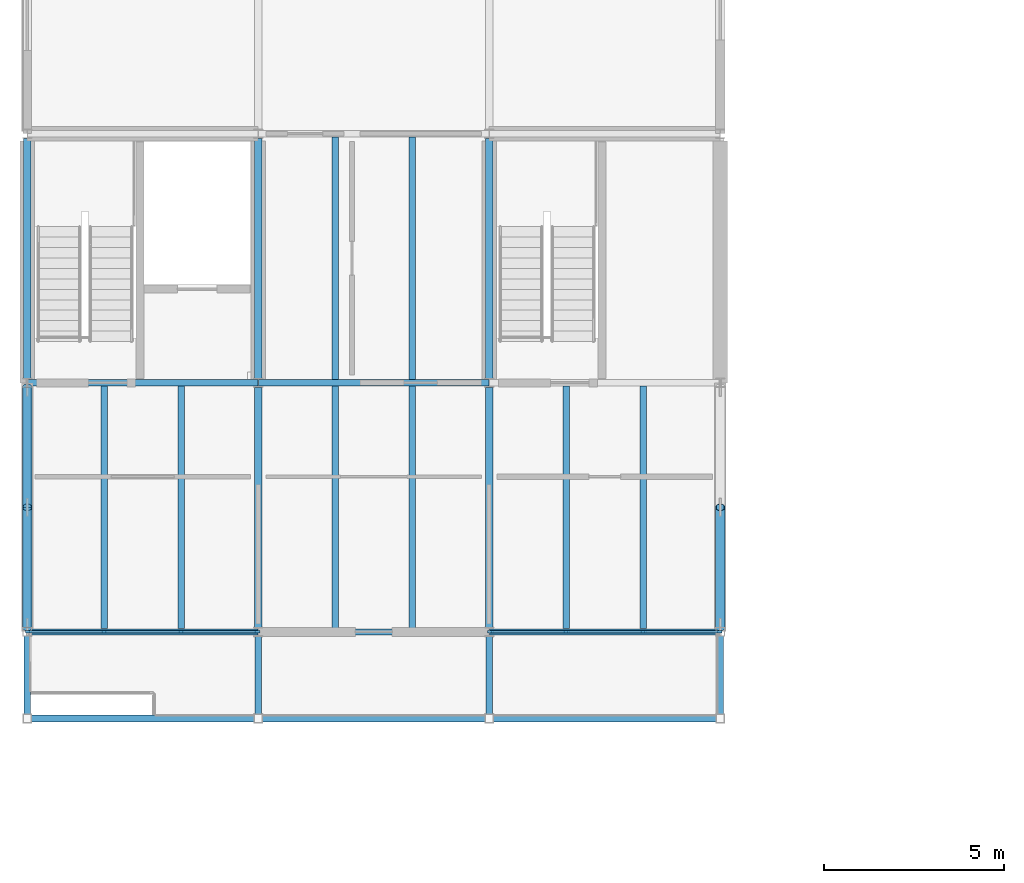
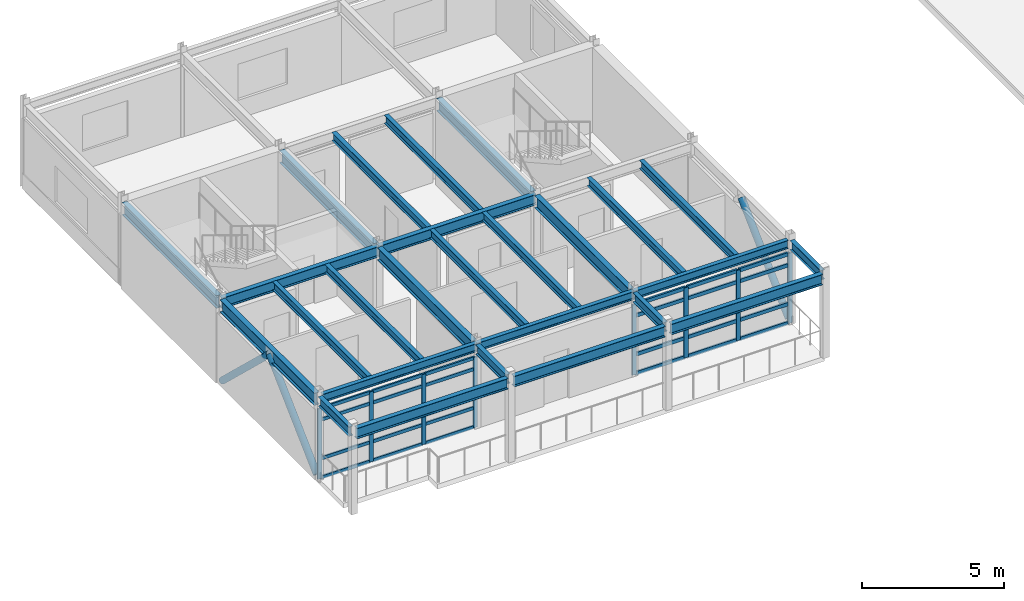
# One storey, part 9 of 26: 35 members, 26 beams, 2 elements without a shape of their own.
"""IFC4 building model written with IfcOpenShell, lengths in metres."""

from ifc_helpers import new_model, si_unit, direction, frame, origin, origin_2d, place, context, subcontext, project, spatial, rectangle, hollow_circle, i_section, extrude, material, layer, layer_set, material_profile, profile_set, type_object, element, aggregate, save


model = new_model("IFC4")

# Units and contexts
model_context = context("Model", 3, precision=1e-05, world=origin(), true_north=direction((0.0, 1.0)))
body_context = subcontext(model_context, "Body", "Model", "MODEL_VIEW")
ifc_project = project(units=[si_unit("LENGTHUNIT", "METRE"), si_unit("AREAUNIT", "SQUARE_METRE"), si_unit("VOLUMEUNIT", "CUBIC_METRE"), si_unit("PLANEANGLEUNIT", "RADIAN"), si_unit("MASSUNIT", "GRAM", prefix="KILO")], contexts=[model_context])

# Site, building, storey
site_placement = place(None, origin())
site = spatial("IfcSite", under=ifc_project, at=site_placement, CompositionType="ELEMENT")
building_placement = place(site_placement, origin())
building = spatial("IfcBuilding", under=site, at=building_placement, Name="Trelmorton Wharf Fire Station", CompositionType="ELEMENT")
storey_placement = place(building_placement, frame((0.0, 0.0, 17.39990234375)))
storey = spatial("IfcBuildingStorey", under=building, at=storey_placement, Name="L04", CompositionType="ELEMENT", Elevation=17.39990234375)

# Beams
ifc_material_1 = material(Name="Steel Grade 350", Category="steel")
ifc_material_profile_1 = material_profile(ifc_material_1, i_section(OverallWidth=0.177978515625, OverallDepth=0.406005859375, WebThickness=0.0078125, FlangeThickness=0.0126953125, FilletRadius=0.011474609375, at=origin_2d()), Name="410UB59.7")
ifc_profile_set_1 = profile_set([ifc_material_profile_1], Name="Steel Grade 350")
beam_type_1 = type_object("IfcBeamType", Name="BM_410UB60", PredefinedType="BEAM", material=ifc_profile_set_1)
beam_1_placement = place(storey_placement, frame((70.800048828125, 58.02099609375, 3.427001953125), z_axis=(0.0, 1.0, 0.0), x_axis=(-1.0, 0.0, 0.0)))
element("IfcBeam", 1, at=beam_1_placement, inside=storey, type_object=beam_type_1, Name="BM-L04-1080", PredefinedType="BEAM", context=body_context, shape_type="SweptSolid", body=[
    extrude(i_section(OverallWidth=0.177978515625, OverallDepth=0.406005859375, WebThickness=0.0078125, FlangeThickness=0.0126953125, FilletRadius=0.011474609375, at=origin_2d()), origin(), (0.0, 0.0, 1.0), 2.157958984375),
])
for number, where, z_axis, x_axis, name in (
    (2, (77.199951171875, 58.02099609375, 3.427001953125), (0.0, 1.0, 0.0), (-1.0, 0.0, 0.0), "BM-L04-1084"),
    (3, (83.60009765625, 58.02099609375, 3.427001953125), (0.0, 1.0, 0.0), (-1.0, 0.0, 0.0), "BM-L04-1088"),
):
    element("IfcBeam", number, at=place(storey_placement, frame(where, z_axis=z_axis, x_axis=x_axis)), inside=storey, type_object=beam_type_1, Name=name, PredefinedType="BEAM", context=body_context, shape_type="SweptSolid", body=[
        extrude(i_section(OverallWidth=0.177978515625, OverallDepth=0.406005859375, WebThickness=0.0078125, FlangeThickness=0.0126953125, FilletRadius=0.011474609375, at=origin_2d()), origin(), (0.0, 0.0, 1.0), 2.153076171875),
    ])
beam_2_placement = place(storey_placement, frame((90.0, 58.02099609375, 3.427001953125), z_axis=(0.0, 1.0, 0.0), x_axis=(-1.0, 0.0, 0.0)))
element("IfcBeam", 4, at=beam_2_placement, inside=storey, type_object=beam_type_1, Name="BM-L04-1092", PredefinedType="BEAM", context=body_context, shape_type="SweptSolid", body=[
    extrude(i_section(OverallWidth=0.177978515625, OverallDepth=0.406005859375, WebThickness=0.0078125, FlangeThickness=0.0126953125, FilletRadius=0.011474609375, at=origin_2d()), origin(), (0.0, 0.0, 1.0), 2.157958984375),
])
ifc_material_profile_2 = material_profile(ifc_material_1, i_section(OverallWidth=0.18994140625, OverallDepth=0.45703125, WebThickness=0.009033203125, FlangeThickness=0.014404296875, FilletRadius=0.011474609375, at=origin_2d()), Name="460UB74.6")
ifc_profile_set_2 = profile_set([ifc_material_profile_2], Name="Steel Grade 350")
beam_type_2 = type_object("IfcBeamType", Name="BM_460UB75", PredefinedType="BEAM", material=ifc_profile_set_2)
beam_3_placement = place(storey_placement, frame((70.803955078125, 67.199951171875, 3.401611328125), z_axis=(1.0, 0.0, 0.0), x_axis=(0.0, 1.0, 0.0)))
element("IfcBeam", 5, at=beam_3_placement, inside=storey, type_object=beam_type_2, Name="BM-L04-1068", PredefinedType="BEAM", context=body_context, shape_type="SweptSolid", body=[
    extrude(i_section(OverallWidth=0.18994140625, OverallDepth=0.45703125, WebThickness=0.009033203125, FlangeThickness=0.014404296875, FilletRadius=0.011474609375, at=origin_2d()), origin(), (0.0, 0.0, 1.0), 6.39208984375),
])
beam_4_placement = place(storey_placement, frame((77.2041015625, 67.199951171875, 3.401611328125), z_axis=(1.0, 0.0, 0.0), x_axis=(0.0, 1.0, 0.0)))
element("IfcBeam", 6, at=beam_4_placement, inside=storey, type_object=beam_type_2, Name="BM-L04-1069", PredefinedType="BEAM", context=body_context, shape_type="SweptSolid", body=[
    extrude(i_section(OverallWidth=0.18994140625, OverallDepth=0.45703125, WebThickness=0.009033203125, FlangeThickness=0.014404296875, FilletRadius=0.011474609375, at=origin_2d()), origin(), (0.0, 0.0, 1.0), 6.391845703125),
])
ifc_material_profile_3 = material_profile(ifc_material_1, i_section(OverallWidth=0.208984375, OverallDepth=0.532958984375, WebThickness=0.01025390625, FlangeThickness=0.015625, FilletRadius=0.013916015625, at=origin_2d()), Name="530UB92.4")
ifc_profile_set_3 = profile_set([ifc_material_profile_3], Name="Steel Grade 350")
beam_type_3 = type_object("IfcBeamType", Name="BM_530UB92", PredefinedType="BEAM", material=ifc_profile_set_3)
beam_5_placement = place(storey_placement, frame((70.800048828125, 60.4208984375, 3.363525390625), z_axis=(0.0, 1.0, 0.0), x_axis=(-1.0, 0.0, 0.0)))
element("IfcBeam", 7, at=beam_5_placement, inside=storey, type_object=beam_type_3, Name="BM-L04-1081", PredefinedType="BEAM", context=body_context, shape_type="SweptSolid", body=[
    extrude(i_section(OverallWidth=0.208984375, OverallDepth=0.532958984375, WebThickness=0.01025390625, FlangeThickness=0.015625, FilletRadius=0.013916015625, at=origin_2d()), origin(), (0.0, 0.0, 1.0), 6.653076171875),
])
beam_6_placement = place(storey_placement, frame((70.800048828125, 67.325927734375, 3.363525390625), z_axis=(0.0, 1.0, 0.0), x_axis=(-1.0, 0.0, 0.0)))
element("IfcBeam", 8, at=beam_6_placement, inside=storey, type_object=beam_type_3, Name="BM-L04-1082", PredefinedType="BEAM", context=body_context, shape_type="SweptSolid", body=[
    extrude(i_section(OverallWidth=0.208984375, OverallDepth=0.532958984375, WebThickness=0.01025390625, FlangeThickness=0.015625, FilletRadius=0.013916015625, at=origin_2d()), origin(), (0.0, 0.0, 1.0), 6.648193359375),
])
beam_7_placement = place(storey_placement, frame((77.199951171875, 60.426025390625, 3.363525390625), z_axis=(0.0, 1.0, 0.0), x_axis=(-1.0, 0.0, 0.0)))
element("IfcBeam", 9, at=beam_7_placement, inside=storey, type_object=beam_type_3, Name="BM-L04-1085", PredefinedType="BEAM", context=body_context, shape_type="SweptSolid", body=[
    extrude(i_section(OverallWidth=0.208984375, OverallDepth=0.532958984375, WebThickness=0.01025390625, FlangeThickness=0.015625, FilletRadius=0.013916015625, at=origin_2d()), origin(), (0.0, 0.0, 1.0), 6.64794921875),
])
beam_8_placement = place(storey_placement, frame((77.199951171875, 67.325927734375, 3.363525390625), z_axis=(0.0, 1.0, 0.0), x_axis=(-1.0, 0.0, 0.0)))
element("IfcBeam", 10, at=beam_8_placement, inside=storey, type_object=beam_type_3, Name="BM-L04-1086", PredefinedType="BEAM", context=body_context, shape_type="SweptSolid", body=[
    extrude(i_section(OverallWidth=0.208984375, OverallDepth=0.532958984375, WebThickness=0.01025390625, FlangeThickness=0.015625, FilletRadius=0.013916015625, at=origin_2d()), origin(), (0.0, 0.0, 1.0), 6.648193359375),
])
beam_9_placement = place(storey_placement, frame((83.60009765625, 60.426025390625, 3.363525390625), z_axis=(0.0, 1.0, 0.0), x_axis=(-1.0, 0.0, 0.0)))
element("IfcBeam", 11, at=beam_9_placement, inside=storey, type_object=beam_type_3, Name="BM-L04-1089", PredefinedType="BEAM", context=body_context, shape_type="SweptSolid", body=[
    extrude(i_section(OverallWidth=0.208984375, OverallDepth=0.532958984375, WebThickness=0.01025390625, FlangeThickness=0.015625, FilletRadius=0.013916015625, at=origin_2d()), origin(), (0.0, 0.0, 1.0), 6.64794921875),
])
beam_10_placement = place(storey_placement, frame((83.60009765625, 67.325927734375, 3.363525390625), z_axis=(0.0, 1.0, 0.0), x_axis=(-1.0, 0.0, 0.0)))
element("IfcBeam", 12, at=beam_10_placement, inside=storey, type_object=beam_type_3, Name="BM-L04-1090", PredefinedType="BEAM", context=body_context, shape_type="SweptSolid", body=[
    extrude(i_section(OverallWidth=0.208984375, OverallDepth=0.532958984375, WebThickness=0.01025390625, FlangeThickness=0.015625, FilletRadius=0.013916015625, at=origin_2d()), origin(), (0.0, 0.0, 1.0), 6.648193359375),
])
ifc_material_2 = material(Name="Signal-red architectural steel Grade 350", Category="steel")
ifc_material_profile_4 = material_profile(ifc_material_2, i_section(OverallWidth=0.19091796875, OverallDepth=0.4599609375, WebThickness=0.010009765625, FlangeThickness=0.01611328125, FilletRadius=0.011474609375, at=origin_2d()), Name="460UB82.1")
ifc_profile_set_4 = profile_set([ifc_material_profile_4], Name="Signal-red architectural steel Grade 350")
beam_type_4 = type_object("IfcBeamType", Name="BM_RED_460UB82", PredefinedType="BEAM", material=ifc_profile_set_4)
beam_11_placement = place(storey_placement, frame((70.9208984375, 57.89990234375, 3.400146484375), z_axis=(1.0, 0.0, 0.0), x_axis=(0.0, 1.0, 0.0)))
element("IfcBeam", 13, at=beam_11_placement, inside=storey, type_object=beam_type_4, Name="BM-L04-1062", PredefinedType="BEAM", context=body_context, shape_type="SweptSolid", body=[
    extrude(i_section(OverallWidth=0.19091796875, OverallDepth=0.4599609375, WebThickness=0.010009765625, FlangeThickness=0.01611328125, FilletRadius=0.011474609375, at=origin_2d()), origin(), (0.0, 0.0, 1.0), 6.158203125),
])
for number, where, z_axis, x_axis, name in (
    (14, (77.321044921875, 57.89990234375, 3.400146484375), (1.0, 0.0, 0.0), (0.0, 1.0, 0.0), "BM-L04-1063"),
    (15, (83.720947265625, 57.89990234375, 3.400146484375), (1.0, 0.0, 0.0), (0.0, 1.0, 0.0), "BM-L04-1064"),
):
    element("IfcBeam", number, at=place(storey_placement, frame(where, z_axis=z_axis, x_axis=x_axis)), inside=storey, type_object=beam_type_4, Name=name, PredefinedType="BEAM", context=body_context, shape_type="SweptSolid", body=[
        extrude(i_section(OverallWidth=0.19091796875, OverallDepth=0.4599609375, WebThickness=0.010009765625, FlangeThickness=0.01611328125, FilletRadius=0.011474609375, at=origin_2d()), origin(), (0.0, 0.0, 1.0), 6.157958984375),
    ])

# Members
ifc_material_3 = material(Name="Steel C350L0 (350 MPa)", Category="steel")
ifc_material_profile_5 = material_profile(ifc_material_3, hollow_circle(Radius=0.136474609375, WallThickness=0.00927734375, at=origin_2d()), Name="273.1x9.3CHS")
ifc_profile_set_5 = profile_set([ifc_material_profile_5], Name="Steel C350L0 (350 MPa)")
member_type_1 = type_object("IfcMemberType", Name="BR_273CHS", PredefinedType="BRACE", material=ifc_profile_set_5)
member_1_placement = place(storey_placement, frame((70.800048828125, 60.422119140625, 0.1201171875), z_axis=(0.0, 0.725170756074, 0.688569077534), x_axis=(-1.0, 0.0, 0.0)))
element("IfcMember", 16, at=member_1_placement, inside=storey, type_object=member_type_1, Name="CBF-V2-W-L04-A", PredefinedType="BRACE", context=body_context, shape_type="SweptSolid", body=[
    extrude(hollow_circle(Radius=0.136474609375, WallThickness=0.00927734375, at=origin_2d()), origin(), (0.0, 0.0, 1.0), 4.589111328125),
])
member_2_placement = place(storey_placement, frame((70.800048828125, 67.072998046875, 0.1201171875), z_axis=(0.0, -0.724665699135, 0.689100590986), x_axis=(1.0, 0.0, 0.0)))
element("IfcMember", 17, at=member_2_placement, inside=storey, type_object=member_type_1, Name="CBF-V2-W-L04-B", PredefinedType="BRACE", context=body_context, shape_type="SweptSolid", body=[
    extrude(hollow_circle(Radius=0.136474609375, WallThickness=0.00927734375, at=origin_2d()), origin(), (0.0, 0.0, 1.0), 4.58544921875),
])
member_3_placement = place(storey_placement, frame((90.0, 60.422119140625, 0.1201171875), z_axis=(0.0, 0.725170756074, 0.688569077534), x_axis=(-1.0, 0.0, 0.0)))
element("IfcMember", 18, at=member_3_placement, inside=storey, type_object=member_type_1, Name="CBF-V2-E-L04-A", PredefinedType="BRACE", context=body_context, shape_type="SweptSolid", body=[
    extrude(hollow_circle(Radius=0.136474609375, WallThickness=0.00927734375, at=origin_2d()), origin(), (0.0, 0.0, 1.0), 4.589111328125),
])

# Curtain wall, members
ifc_material_4 = material(Name="Anodised aluminium AW-6063", Category="aluminium")
ifc_layer = layer(ifc_material_4, 0.159912109375)
ifc_layer_set = layer_set([ifc_layer], Name="Anodised aluminium AW-6063")
curtain_wall_type = type_object("IfcCurtainWallType", Name="CW_CHIC_A", PredefinedType="USERDEFINED", material=ifc_layer_set)
curtain_wall_1_placement = place(storey_placement, origin())
curtain_wall_1 = element("IfcCurtainWall", 19, at=curtain_wall_1_placement, inside=storey, type_object=curtain_wall_type, Name="CW-V2-L04-105", ObjectType="CHICAGO BAY CURTAIN WALL", PredefinedType="USERDEFINED")
ifc_material_profile_6 = material_profile(ifc_material_4, rectangle(XDim=0.06494140625, YDim=0.159912109375, at=origin_2d()), Name="ALU-65x160")
ifc_profile_set_6 = profile_set([ifc_material_profile_6], Name="Anodised aluminium AW-6063")
member_type_2 = type_object("IfcMemberType", Name="CWM_65x160", PredefinedType="MULLION", material=ifc_profile_set_6)
member_4_placement = place(storey_placement, frame((77.1650390625, 60.300048828125, 0.0), z_axis=(0.0, 0.0, 1.0), x_axis=(0.0, -1.0, 0.0)))
member_4 = element("IfcMember", 20, at=member_4_placement, type_object=member_type_2, Name="CW1 mullion 1", PredefinedType="MULLION", context=body_context, shape_type="SweptSolid", body=[
    extrude(rectangle(XDim=0.06494140625, YDim=0.159912109375, at=origin_2d()), origin(), (0.0, 0.0, 1.0), 3.02001953125),
])
member_5_placement = place(storey_placement, frame((75.06494140625, 60.300048828125, 0.0), z_axis=(0.0, 0.0, 1.0), x_axis=(0.0, -1.0, 0.0)))
member_5 = element("IfcMember", 21, at=member_5_placement, type_object=member_type_2, Name="CW1 mullion 2", PredefinedType="MULLION", context=body_context, shape_type="SweptSolid", body=[
    extrude(rectangle(XDim=0.06494140625, YDim=0.159912109375, at=origin_2d()), origin(), (0.0, 0.0, 1.0), 3.02001953125),
])
member_6_placement = place(storey_placement, frame((72.93505859375, 60.300048828125, 0.0), z_axis=(0.0, 0.0, 1.0), x_axis=(0.0, -1.0, 0.0)))
member_6 = element("IfcMember", 22, at=member_6_placement, type_object=member_type_2, Name="CW1 mullion 3", PredefinedType="MULLION", context=body_context, shape_type="SweptSolid", body=[
    extrude(rectangle(XDim=0.06494140625, YDim=0.159912109375, at=origin_2d()), origin(), (0.0, 0.0, 1.0), 3.02001953125),
])
member_7_placement = place(storey_placement, frame((70.8349609375, 60.300048828125, 0.0), z_axis=(0.0, 0.0, 1.0), x_axis=(0.0, -1.0, 0.0)))
member_7 = element("IfcMember", 23, at=member_7_placement, type_object=member_type_2, Name="CW1 mullion 4", PredefinedType="MULLION", context=body_context, shape_type="SweptSolid", body=[
    extrude(rectangle(XDim=0.06494140625, YDim=0.159912109375, at=origin_2d()), origin(), (0.0, 0.0, 1.0), 3.02001953125),
])

curtain_wall_2_placement = place(storey_placement, origin())
curtain_wall_2 = element("IfcCurtainWall", 24, at=curtain_wall_2_placement, inside=storey, type_object=curtain_wall_type, Name="CW-V2-L04-106", ObjectType="CHICAGO BAY CURTAIN WALL", PredefinedType="USERDEFINED")
ifc_material_profile_7 = material_profile(ifc_material_4, rectangle(XDim=0.074951171875, YDim=0.175048828125, at=origin_2d()), Name="ALU-75x175")
ifc_profile_set_7 = profile_set([ifc_material_profile_7], Name="Anodised aluminium AW-6063")
member_type_3 = type_object("IfcMemberType", Name="CWM_75x175", PredefinedType="MULLION", material=ifc_profile_set_7)
member_8_placement = place(storey_placement, frame((89.965087890625, 60.300048828125, 0.0), z_axis=(0.0, 0.0, 1.0), x_axis=(0.0, -1.0, 0.0)))
member_8 = element("IfcMember", 25, at=member_8_placement, type_object=member_type_3, Name="CW1 mullion 1", PredefinedType="MULLION", context=body_context, shape_type="SweptSolid", body=[
    extrude(rectangle(XDim=0.074951171875, YDim=0.175048828125, at=origin_2d()), origin(), (0.0, 0.0, 1.0), 3.02001953125),
])
member_9_placement = place(storey_placement, frame((87.864990234375, 60.300048828125, 0.0), z_axis=(0.0, 0.0, 1.0), x_axis=(0.0, -1.0, 0.0)))
member_9 = element("IfcMember", 26, at=member_9_placement, type_object=member_type_3, Name="CW1 mullion 2", PredefinedType="MULLION", context=body_context, shape_type="SweptSolid", body=[
    extrude(rectangle(XDim=0.074951171875, YDim=0.175048828125, at=origin_2d()), origin(), (0.0, 0.0, 1.0), 3.02001953125),
])
member_10_placement = place(storey_placement, frame((85.735107421875, 60.300048828125, 0.0), z_axis=(0.0, 0.0, 1.0), x_axis=(0.0, -1.0, 0.0)))
member_10 = element("IfcMember", 27, at=member_10_placement, type_object=member_type_3, Name="CW1 mullion 3", PredefinedType="MULLION", context=body_context, shape_type="SweptSolid", body=[
    extrude(rectangle(XDim=0.074951171875, YDim=0.175048828125, at=origin_2d()), origin(), (0.0, 0.0, 1.0), 3.02001953125),
])
member_11_placement = place(storey_placement, frame((83.635009765625, 60.300048828125, 0.0), z_axis=(0.0, 0.0, 1.0), x_axis=(0.0, -1.0, 0.0)))
member_11 = element("IfcMember", 28, at=member_11_placement, type_object=member_type_3, Name="CW1 mullion 4", PredefinedType="MULLION", context=body_context, shape_type="SweptSolid", body=[
    extrude(rectangle(XDim=0.074951171875, YDim=0.175048828125, at=origin_2d()), origin(), (0.0, 0.0, 1.0), 3.02001953125),
])

# Member
ifc_material_profile_8 = material_profile(ifc_material_4, rectangle(XDim=0.06494140625, YDim=0.139892578125, at=origin_2d()), Name="ALU-65x140")
ifc_profile_set_8 = profile_set([ifc_material_profile_8], Name="Anodised aluminium AW-6063")
member_type_4 = type_object("IfcMemberType", Name="CWT_65x140", PredefinedType="USERDEFINED", material=ifc_profile_set_8)
member_12_placement = place(storey_placement, frame((77.135009765625, 60.300048828125, 0.030029296875), z_axis=(-1.0, 0.0, 0.0), x_axis=(0.0, -1.0, 0.0)))
member_12 = element("IfcMember", 29, at=member_12_placement, type_object=member_type_4, Name="CW1 transom 1.1", ObjectType="TRANSOM", PredefinedType="USERDEFINED", context=body_context, shape_type="SweptSolid", body=[
    extrude(rectangle(XDim=0.06494140625, YDim=0.139892578125, at=origin_2d()), origin(), (0.0, 0.0, 1.0), 2.0400390625),
])

member_13_placement = place(storey_placement, frame((77.135009765625, 60.300048828125, 0.85009765625), z_axis=(-1.0, 0.0, 0.0), x_axis=(0.0, -1.0, 0.0)))
member_13 = element("IfcMember", 30, at=member_13_placement, type_object=member_type_4, Name="CW1 transom 1.2", ObjectType="TRANSOM", PredefinedType="USERDEFINED", context=body_context, shape_type="SweptSolid", body=[
    extrude(rectangle(XDim=0.06494140625, YDim=0.139892578125, at=origin_2d()), origin(), (0.0, 0.0, 1.0), 2.0400390625),
])

member_14_placement = place(storey_placement, frame((77.135009765625, 60.300048828125, 2.52001953125), z_axis=(-1.0, 0.0, 0.0), x_axis=(0.0, -1.0, 0.0)))
member_14 = element("IfcMember", 31, at=member_14_placement, type_object=member_type_4, Name="CW1 transom 1.3", ObjectType="TRANSOM", PredefinedType="USERDEFINED", context=body_context, shape_type="SweptSolid", body=[
    extrude(rectangle(XDim=0.06494140625, YDim=0.139892578125, at=origin_2d()), origin(), (0.0, 0.0, 1.0), 2.0400390625),
])

member_15_placement = place(storey_placement, frame((77.135009765625, 60.300048828125, 2.989990234375), z_axis=(-1.0, 0.0, 0.0), x_axis=(0.0, -1.0, 0.0)))
member_15 = element("IfcMember", 32, at=member_15_placement, type_object=member_type_4, Name="CW1 transom 1.4", ObjectType="TRANSOM", PredefinedType="USERDEFINED", context=body_context, shape_type="SweptSolid", body=[
    extrude(rectangle(XDim=0.06494140625, YDim=0.139892578125, at=origin_2d()), origin(), (0.0, 0.0, 1.0), 2.0400390625),
])

member_16_placement = place(storey_placement, frame((75.034912109375, 60.300048828125, 0.030029296875), z_axis=(-1.0, 0.0, 0.0), x_axis=(0.0, -1.0, 0.0)))
member_16 = element("IfcMember", 33, at=member_16_placement, type_object=member_type_4, Name="CW1 transom 2.1", ObjectType="TRANSOM", PredefinedType="USERDEFINED", context=body_context, shape_type="SweptSolid", body=[
    extrude(rectangle(XDim=0.06494140625, YDim=0.139892578125, at=origin_2d()), origin(), (0.0, 0.0, 1.0), 2.06982421875),
])

member_17_placement = place(storey_placement, frame((75.034912109375, 60.300048828125, 0.85009765625), z_axis=(-1.0, 0.0, 0.0), x_axis=(0.0, -1.0, 0.0)))
member_17 = element("IfcMember", 34, at=member_17_placement, type_object=member_type_4, Name="CW1 transom 2.2", ObjectType="TRANSOM", PredefinedType="USERDEFINED", context=body_context, shape_type="SweptSolid", body=[
    extrude(rectangle(XDim=0.06494140625, YDim=0.139892578125, at=origin_2d()), origin(), (0.0, 0.0, 1.0), 2.06982421875),
])

member_18_placement = place(storey_placement, frame((75.034912109375, 60.300048828125, 2.52001953125), z_axis=(-1.0, 0.0, 0.0), x_axis=(0.0, -1.0, 0.0)))
member_18 = element("IfcMember", 35, at=member_18_placement, type_object=member_type_4, Name="CW1 transom 2.3", ObjectType="TRANSOM", PredefinedType="USERDEFINED", context=body_context, shape_type="SweptSolid", body=[
    extrude(rectangle(XDim=0.06494140625, YDim=0.139892578125, at=origin_2d()), origin(), (0.0, 0.0, 1.0), 2.06982421875),
])

member_19_placement = place(storey_placement, frame((75.034912109375, 60.300048828125, 2.989990234375), z_axis=(-1.0, 0.0, 0.0), x_axis=(0.0, -1.0, 0.0)))
member_19 = element("IfcMember", 36, at=member_19_placement, type_object=member_type_4, Name="CW1 transom 2.4", ObjectType="TRANSOM", PredefinedType="USERDEFINED", context=body_context, shape_type="SweptSolid", body=[
    extrude(rectangle(XDim=0.06494140625, YDim=0.139892578125, at=origin_2d()), origin(), (0.0, 0.0, 1.0), 2.06982421875),
])

member_20_placement = place(storey_placement, frame((72.905029296875, 60.300048828125, 0.030029296875), z_axis=(-1.0, 0.0, 0.0), x_axis=(0.0, -1.0, 0.0)))
member_20 = element("IfcMember", 37, at=member_20_placement, type_object=member_type_4, Name="CW1 transom 3.1", ObjectType="TRANSOM", PredefinedType="USERDEFINED", context=body_context, shape_type="SweptSolid", body=[
    extrude(rectangle(XDim=0.06494140625, YDim=0.139892578125, at=origin_2d()), origin(), (0.0, 0.0, 1.0), 2.0400390625),
])

member_21_placement = place(storey_placement, frame((72.905029296875, 60.300048828125, 0.85009765625), z_axis=(-1.0, 0.0, 0.0), x_axis=(0.0, -1.0, 0.0)))
member_21 = element("IfcMember", 38, at=member_21_placement, type_object=member_type_4, Name="CW1 transom 3.2", ObjectType="TRANSOM", PredefinedType="USERDEFINED", context=body_context, shape_type="SweptSolid", body=[
    extrude(rectangle(XDim=0.06494140625, YDim=0.139892578125, at=origin_2d()), origin(), (0.0, 0.0, 1.0), 2.0400390625),
])

member_22_placement = place(storey_placement, frame((72.905029296875, 60.300048828125, 2.52001953125), z_axis=(-1.0, 0.0, 0.0), x_axis=(0.0, -1.0, 0.0)))
member_22 = element("IfcMember", 39, at=member_22_placement, type_object=member_type_4, Name="CW1 transom 3.3", ObjectType="TRANSOM", PredefinedType="USERDEFINED", context=body_context, shape_type="SweptSolid", body=[
    extrude(rectangle(XDim=0.06494140625, YDim=0.139892578125, at=origin_2d()), origin(), (0.0, 0.0, 1.0), 2.0400390625),
])

member_23_placement = place(storey_placement, frame((72.905029296875, 60.300048828125, 2.989990234375), z_axis=(-1.0, 0.0, 0.0), x_axis=(0.0, -1.0, 0.0)))
member_23 = element("IfcMember", 40, at=member_23_placement, type_object=member_type_4, Name="CW1 transom 3.4", ObjectType="TRANSOM", PredefinedType="USERDEFINED", context=body_context, shape_type="SweptSolid", body=[
    extrude(rectangle(XDim=0.06494140625, YDim=0.139892578125, at=origin_2d()), origin(), (0.0, 0.0, 1.0), 2.0400390625),
])

aggregate(curtain_wall_1, [member_4, member_5, member_6, member_7, member_12, member_13, member_14, member_15, member_16, member_17, member_18, member_19, member_20, member_21, member_22, member_23])

ifc_material_profile_9 = material_profile(ifc_material_4, rectangle(XDim=0.074951171875, YDim=0.155029296875, at=origin_2d()), Name="ALU-75x155")
ifc_profile_set_9 = profile_set([ifc_material_profile_9], Name="Anodised aluminium AW-6063")
member_type_5 = type_object("IfcMemberType", Name="CWT_75x155", PredefinedType="USERDEFINED", material=ifc_profile_set_9)
member_24_placement = place(storey_placement, frame((89.93505859375, 60.300048828125, 0.030029296875), z_axis=(-1.0, 0.0, 0.0), x_axis=(0.0, -1.0, 0.0)))
member_24 = element("IfcMember", 41, at=member_24_placement, type_object=member_type_5, Name="CW1 transom 1.1", ObjectType="TRANSOM", PredefinedType="USERDEFINED", context=body_context, shape_type="SweptSolid", body=[
    extrude(rectangle(XDim=0.074951171875, YDim=0.155029296875, at=origin_2d()), origin(), (0.0, 0.0, 1.0), 2.0400390625),
])

member_25_placement = place(storey_placement, frame((89.93505859375, 60.300048828125, 0.85009765625), z_axis=(-1.0, 0.0, 0.0), x_axis=(0.0, -1.0, 0.0)))
member_25 = element("IfcMember", 42, at=member_25_placement, type_object=member_type_5, Name="CW1 transom 1.2", ObjectType="TRANSOM", PredefinedType="USERDEFINED", context=body_context, shape_type="SweptSolid", body=[
    extrude(rectangle(XDim=0.074951171875, YDim=0.155029296875, at=origin_2d()), origin(), (0.0, 0.0, 1.0), 2.0400390625),
])

member_26_placement = place(storey_placement, frame((89.93505859375, 60.300048828125, 2.52001953125), z_axis=(-1.0, 0.0, 0.0), x_axis=(0.0, -1.0, 0.0)))
member_26 = element("IfcMember", 43, at=member_26_placement, type_object=member_type_5, Name="CW1 transom 1.3", ObjectType="TRANSOM", PredefinedType="USERDEFINED", context=body_context, shape_type="SweptSolid", body=[
    extrude(rectangle(XDim=0.074951171875, YDim=0.155029296875, at=origin_2d()), origin(), (0.0, 0.0, 1.0), 2.0400390625),
])

member_27_placement = place(storey_placement, frame((89.93505859375, 60.300048828125, 2.989990234375), z_axis=(-1.0, 0.0, 0.0), x_axis=(0.0, -1.0, 0.0)))
member_27 = element("IfcMember", 44, at=member_27_placement, type_object=member_type_5, Name="CW1 transom 1.4", ObjectType="TRANSOM", PredefinedType="USERDEFINED", context=body_context, shape_type="SweptSolid", body=[
    extrude(rectangle(XDim=0.074951171875, YDim=0.155029296875, at=origin_2d()), origin(), (0.0, 0.0, 1.0), 2.0400390625),
])

member_28_placement = place(storey_placement, frame((87.8349609375, 60.300048828125, 0.030029296875), z_axis=(-1.0, 0.0, 0.0), x_axis=(0.0, -1.0, 0.0)))
member_28 = element("IfcMember", 45, at=member_28_placement, type_object=member_type_5, Name="CW1 transom 2.1", ObjectType="TRANSOM", PredefinedType="USERDEFINED", context=body_context, shape_type="SweptSolid", body=[
    extrude(rectangle(XDim=0.074951171875, YDim=0.155029296875, at=origin_2d()), origin(), (0.0, 0.0, 1.0), 2.070068359375),
])

member_29_placement = place(storey_placement, frame((87.8349609375, 60.300048828125, 0.85009765625), z_axis=(-1.0, 0.0, 0.0), x_axis=(0.0, -1.0, 0.0)))
member_29 = element("IfcMember", 46, at=member_29_placement, type_object=member_type_5, Name="CW1 transom 2.2", ObjectType="TRANSOM", PredefinedType="USERDEFINED", context=body_context, shape_type="SweptSolid", body=[
    extrude(rectangle(XDim=0.074951171875, YDim=0.155029296875, at=origin_2d()), origin(), (0.0, 0.0, 1.0), 2.070068359375),
])

member_30_placement = place(storey_placement, frame((87.8349609375, 60.300048828125, 2.52001953125), z_axis=(-1.0, 0.0, 0.0), x_axis=(0.0, -1.0, 0.0)))
member_30 = element("IfcMember", 47, at=member_30_placement, type_object=member_type_5, Name="CW1 transom 2.3", ObjectType="TRANSOM", PredefinedType="USERDEFINED", context=body_context, shape_type="SweptSolid", body=[
    extrude(rectangle(XDim=0.074951171875, YDim=0.155029296875, at=origin_2d()), origin(), (0.0, 0.0, 1.0), 2.070068359375),
])

member_31_placement = place(storey_placement, frame((87.8349609375, 60.300048828125, 2.989990234375), z_axis=(-1.0, 0.0, 0.0), x_axis=(0.0, -1.0, 0.0)))
member_31 = element("IfcMember", 48, at=member_31_placement, type_object=member_type_5, Name="CW1 transom 2.4", ObjectType="TRANSOM", PredefinedType="USERDEFINED", context=body_context, shape_type="SweptSolid", body=[
    extrude(rectangle(XDim=0.074951171875, YDim=0.155029296875, at=origin_2d()), origin(), (0.0, 0.0, 1.0), 2.070068359375),
])

member_32_placement = place(storey_placement, frame((85.705078125, 60.300048828125, 0.030029296875), z_axis=(-1.0, 0.0, 0.0), x_axis=(0.0, -1.0, 0.0)))
member_32 = element("IfcMember", 49, at=member_32_placement, type_object=member_type_5, Name="CW1 transom 3.1", ObjectType="TRANSOM", PredefinedType="USERDEFINED", context=body_context, shape_type="SweptSolid", body=[
    extrude(rectangle(XDim=0.074951171875, YDim=0.155029296875, at=origin_2d()), origin(), (0.0, 0.0, 1.0), 2.0400390625),
])

member_33_placement = place(storey_placement, frame((85.705078125, 60.300048828125, 0.85009765625), z_axis=(-1.0, 0.0, 0.0), x_axis=(0.0, -1.0, 0.0)))
member_33 = element("IfcMember", 50, at=member_33_placement, type_object=member_type_5, Name="CW1 transom 3.2", ObjectType="TRANSOM", PredefinedType="USERDEFINED", context=body_context, shape_type="SweptSolid", body=[
    extrude(rectangle(XDim=0.074951171875, YDim=0.155029296875, at=origin_2d()), origin(), (0.0, 0.0, 1.0), 2.0400390625),
])

member_34_placement = place(storey_placement, frame((85.705078125, 60.300048828125, 2.52001953125), z_axis=(-1.0, 0.0, 0.0), x_axis=(0.0, -1.0, 0.0)))
member_34 = element("IfcMember", 51, at=member_34_placement, type_object=member_type_5, Name="CW1 transom 3.3", ObjectType="TRANSOM", PredefinedType="USERDEFINED", context=body_context, shape_type="SweptSolid", body=[
    extrude(rectangle(XDim=0.074951171875, YDim=0.155029296875, at=origin_2d()), origin(), (0.0, 0.0, 1.0), 2.0400390625),
])

member_35_placement = place(storey_placement, frame((85.705078125, 60.300048828125, 2.989990234375), z_axis=(-1.0, 0.0, 0.0), x_axis=(0.0, -1.0, 0.0)))
member_35 = element("IfcMember", 52, at=member_35_placement, type_object=member_type_5, Name="CW1 transom 3.4", ObjectType="TRANSOM", PredefinedType="USERDEFINED", context=body_context, shape_type="SweptSolid", body=[
    extrude(rectangle(XDim=0.074951171875, YDim=0.155029296875, at=origin_2d()), origin(), (0.0, 0.0, 1.0), 2.0400390625),
])

aggregate(curtain_wall_2, [member_8, member_9, member_10, member_11, member_24, member_25, member_26, member_27, member_28, member_29, member_30, member_31, member_32, member_33, member_34, member_35])

# Beams
ifc_material_profile_10 = material_profile(ifc_material_1, i_section(OverallWidth=0.172119140625, OverallDepth=0.35888671875, WebThickness=0.008056640625, FlangeThickness=0.012939453125, FilletRadius=0.011474609375, at=origin_2d()), Name="360UB56.7")
ifc_profile_set_10 = profile_set([ifc_material_profile_10], Name="Steel Grade 350")
beam_type_5 = type_object("IfcBeamType", Name="JS_360UB57", PredefinedType="JOIST", material=ifc_profile_set_10)
for number, where, z_axis, x_axis, name in (
    (53, (72.933349609375, 60.389892578125, 3.45068359375), (0.0, 1.0, 0.0), (-1.0, 0.0, 0.0), "JS-L04-0381"),
    (54, (75.066650390625, 60.389892578125, 3.45068359375), (0.0, 1.0, 0.0), (-1.0, 0.0, 0.0), "JS-L04-0382"),
    (55, (79.333251953125, 60.389892578125, 3.45068359375), (0.0, 1.0, 0.0), (-1.0, 0.0, 0.0), "JS-L04-0383"),
    (56, (81.466796875, 60.389892578125, 3.45068359375), (0.0, 1.0, 0.0), (-1.0, 0.0, 0.0), "JS-L04-0384"),
):
    element("IfcBeam", number, at=place(storey_placement, frame(where, z_axis=z_axis, x_axis=x_axis)), inside=storey, type_object=beam_type_5, Name=name, PredefinedType="JOIST", context=body_context, shape_type="SweptSolid", body=[
        extrude(i_section(OverallWidth=0.172119140625, OverallDepth=0.35888671875, WebThickness=0.008056640625, FlangeThickness=0.012939453125, FilletRadius=0.011474609375, at=origin_2d()), origin(), (0.0, 0.0, 1.0), 6.72021484375),
    ])
for number, where, z_axis, x_axis, name in (
    (57, (79.333251953125, 67.2900390625, 3.45068359375), (0.0, 1.0, 0.0), (-1.0, 0.0, 0.0), "JS-L04-0385"),
    (58, (81.466796875, 67.2900390625, 3.45068359375), (0.0, 1.0, 0.0), (-1.0, 0.0, 0.0), "JS-L04-0386"),
):
    element("IfcBeam", number, at=place(storey_placement, frame(where, z_axis=z_axis, x_axis=x_axis)), inside=storey, type_object=beam_type_5, Name=name, PredefinedType="JOIST", context=body_context, shape_type="SweptSolid", body=[
        extrude(i_section(OverallWidth=0.172119140625, OverallDepth=0.35888671875, WebThickness=0.008056640625, FlangeThickness=0.012939453125, FilletRadius=0.011474609375, at=origin_2d()), origin(), (0.0, 0.0, 1.0), 6.719970703125),
    ])
for number, where, z_axis, x_axis, name in (
    (59, (85.7333984375, 60.389892578125, 3.45068359375), (0.0, 1.0, 0.0), (-1.0, 0.0, 0.0), "JS-L04-0387"),
    (60, (87.86669921875, 60.389892578125, 3.45068359375), (0.0, 1.0, 0.0), (-1.0, 0.0, 0.0), "JS-L04-0388"),
):
    element("IfcBeam", number, at=place(storey_placement, frame(where, z_axis=z_axis, x_axis=x_axis)), inside=storey, type_object=beam_type_5, Name=name, PredefinedType="JOIST", context=body_context, shape_type="SweptSolid", body=[
        extrude(i_section(OverallWidth=0.172119140625, OverallDepth=0.35888671875, WebThickness=0.008056640625, FlangeThickness=0.012939453125, FilletRadius=0.011474609375, at=origin_2d()), origin(), (0.0, 0.0, 1.0), 6.72021484375),
    ])
ifc_material_profile_11 = material_profile(ifc_material_1, i_section(OverallWidth=0.1708984375, OverallDepth=0.35595703125, WebThickness=0.00732421875, FlangeThickness=0.011474609375, FilletRadius=0.011474609375, at=origin_2d()), Name="360UB50.7")
ifc_profile_set_11 = profile_set([ifc_material_profile_11], Name="Steel Grade 350")
beam_type_6 = type_object("IfcBeamType", Name="SP_360UB51", PredefinedType="SPANDREL", material=ifc_profile_set_11)
beam_12_placement = place(storey_placement, frame((70.9208984375, 60.300048828125, 3.4521484375), z_axis=(1.0, 0.0, 0.0), x_axis=(0.0, 1.0, 0.0)))
element("IfcBeam", 61, at=beam_12_placement, inside=storey, type_object=beam_type_6, Name="BM-L04-1065", PredefinedType="SPANDREL", context=body_context, shape_type="SweptSolid", body=[
    extrude(i_section(OverallWidth=0.1708984375, OverallDepth=0.35595703125, WebThickness=0.00732421875, FlangeThickness=0.011474609375, FilletRadius=0.011474609375, at=origin_2d()), origin(), (0.0, 0.0, 1.0), 6.275146484375),
])
beam_13_placement = place(storey_placement, frame((77.2041015625, 60.300048828125, 3.4521484375), z_axis=(1.0, 0.0, 0.0), x_axis=(0.0, 1.0, 0.0)))
element("IfcBeam", 62, at=beam_13_placement, inside=storey, type_object=beam_type_6, Name="BM-L04-1066", PredefinedType="SPANDREL", context=body_context, shape_type="SweptSolid", body=[
    extrude(i_section(OverallWidth=0.1708984375, OverallDepth=0.35595703125, WebThickness=0.00732421875, FlangeThickness=0.011474609375, FilletRadius=0.011474609375, at=origin_2d()), origin(), (0.0, 0.0, 1.0), 6.391845703125),
])
beam_14_placement = place(storey_placement, frame((83.60400390625, 60.300048828125, 3.4521484375), z_axis=(1.0, 0.0, 0.0), x_axis=(0.0, 1.0, 0.0)))
element("IfcBeam", 63, at=beam_14_placement, inside=storey, type_object=beam_type_6, Name="BM-L04-1067", PredefinedType="SPANDREL", context=body_context, shape_type="SweptSolid", body=[
    extrude(i_section(OverallWidth=0.1708984375, OverallDepth=0.35595703125, WebThickness=0.00732421875, FlangeThickness=0.011474609375, FilletRadius=0.011474609375, at=origin_2d()), origin(), (0.0, 0.0, 1.0), 6.27490234375),
])

save(model, "model.ifc")
